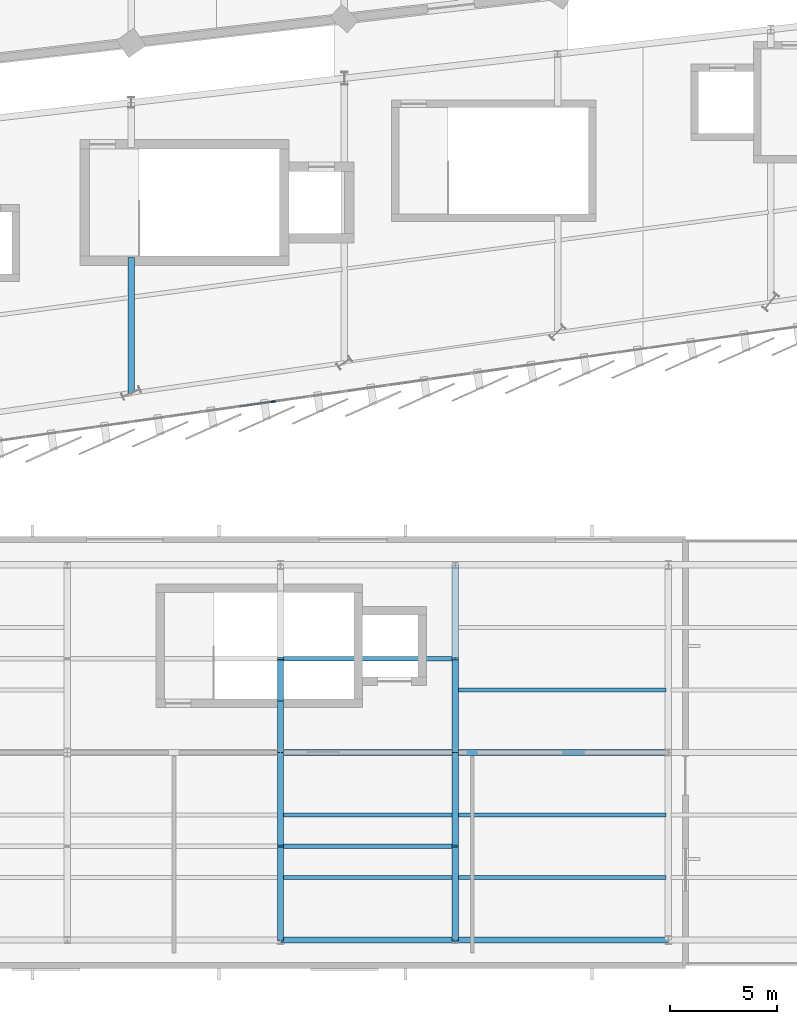
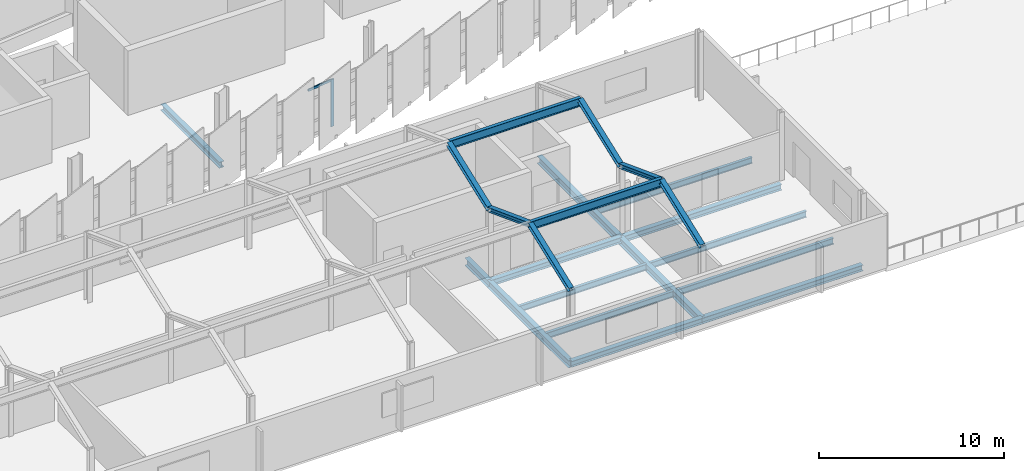
# One storey, part 22 of 87: 22 beams, 2 members, 1 element without a shape of its own.
"""IFC4 building model written with IfcOpenShell, lengths in metres."""

from ifc_helpers import new_model, si_unit, direction, frame, origin, origin_2d, place, context, subcontext, project, spatial, rectangle, i_section, extrude, material, layer, layer_set, material_profile, profile_set, type_object, element, aggregate, save


model = new_model("IFC4")

# Units and contexts
model_context = context("Model", 3, precision=1e-05, world=origin(), true_north=direction((0.0, 1.0)))
body_context = subcontext(model_context, "Body", "Model", "MODEL_VIEW")
ifc_project = project(units=[si_unit("LENGTHUNIT", "METRE"), si_unit("AREAUNIT", "SQUARE_METRE"), si_unit("VOLUMEUNIT", "CUBIC_METRE"), si_unit("PLANEANGLEUNIT", "RADIAN"), si_unit("MASSUNIT", "GRAM", prefix="KILO")], contexts=[model_context])

# Site, building, storey
site_placement = place(None, origin())
site = spatial("IfcSite", under=ifc_project, at=site_placement, CompositionType="ELEMENT")
building_placement = place(site_placement, origin())
building = spatial("IfcBuilding", under=site, at=building_placement, Name="Sohan Crest Arena", CompositionType="ELEMENT")
storey_placement = place(building_placement, frame((0.0, 0.0, 18.0)))
storey = spatial("IfcBuildingStorey", under=building, at=storey_placement, Name="L04", CompositionType="ELEMENT", Elevation=18.0)

# Curtain wall, members
ifc_material_1 = material(Name="Thermally broken anodised aluminium", Category="aluminium")
ifc_layer = layer(ifc_material_1, 0.219970703125, Name="Thermally broken anodised aluminium")
ifc_layer_set = layer_set([ifc_layer], Name="Thermally broken anodised aluminium")
curtain_wall_type = type_object("IfcCurtainWallType", Name="ARC-CW03", PredefinedType="NOTDEFINED", material=ifc_layer_set)
curtain_wall_placement = place(storey_placement, origin())
curtain_wall = element("IfcCurtainWall", 1, at=curtain_wall_placement, inside=storey, type_object=curtain_wall_type, Name="Unitised curtain wall CW-126", PredefinedType="NOTDEFINED")
ifc_material_profile_1 = material_profile(ifc_material_1, rectangle(XDim=0.070068359375, YDim=0.199951171875, at=origin_2d()), Name="ALU-MULL 70x200")
ifc_profile_set_1 = profile_set([ifc_material_profile_1], Name="Thermally broken anodised aluminium")
member_type_1 = type_object("IfcMemberType", Name="ARC-CW-ML03", PredefinedType="MULLION", material=ifc_profile_set_1)
member_1_placement = place(storey_placement, frame((124.666748046875, 32.459716796875, 0.0), z_axis=(0.0, 0.0, 1.0), x_axis=(-0.141462933734, 0.989943553128, 0.0)))
member_1 = element("IfcMember", 2, at=member_1_placement, type_object=member_type_1, Name="CW-126 mullion 5", PredefinedType="MULLION", context=body_context, shape_type="SweptSolid", body=[
    extrude(rectangle(XDim=0.070068359375, YDim=0.199951171875, at=origin_2d()), origin(), (0.0, 0.0, 1.0), 3.1201171875),
])
ifc_material_profile_2 = material_profile(ifc_material_1, rectangle(XDim=0.070068359375, YDim=0.14990234375, at=origin_2d()), Name="ALU-TRAN 70x150")
ifc_profile_set_2 = profile_set([ifc_material_profile_2], Name="Thermally broken anodised aluminium")
member_type_2 = type_object("IfcMemberType", Name="ARC-CW-TR03", PredefinedType="USERDEFINED", material=ifc_profile_set_2)
member_2_placement = place(storey_placement, frame((123.03466796875, 32.2265625, 3.0849609375), z_axis=(0.989943440831, 0.141463719575, 0.0), x_axis=(-0.141463719575, 0.989943440831, 0.0)))
member_2 = element("IfcMember", 3, at=member_2_placement, type_object=member_type_2, Name="CW-126 transom 4.4", ObjectType="TRANSOM", PredefinedType="USERDEFINED", context=body_context, shape_type="SweptSolid", body=[
    extrude(rectangle(XDim=0.070068359375, YDim=0.14990234375, at=origin_2d()), origin(), (0.0, 0.0, 1.0), 1.613525390625),
])
aggregate(curtain_wall, [member_1, member_2])

# Beams
ifc_material_2 = material(Name="Steel S355", Category="steel")
ifc_material_profile_3 = material_profile(ifc_material_2, i_section(OverallWidth=0.179931640625, OverallDepth=0.39990234375, WebThickness=0.008544921875, FlangeThickness=0.013427734375, at=origin_2d()), Name="IPE 400")
ifc_profile_set_3 = profile_set([ifc_material_profile_3], Name="Steel S355")
beam_type_1 = type_object("IfcBeamType", Name="STR-BM-B03", PredefinedType="JOIST", material=ifc_profile_set_3)
for number, where, z_axis, x_axis, name in (
    (4, (125.110107421875, 10.133056640625, -0.449951171875), (1.0, 0.0, 0.0), (0.0, 1.0, 0.0), "Structural beam J-L04-2808"),
    (5, (125.110107421875, 13.06689453125, -0.449951171875), (1.0, 0.0, 0.0), (0.0, 1.0, 0.0), "Structural beam J-L04-2809"),
):
    element("IfcBeam", number, at=place(storey_placement, frame(where, z_axis=z_axis, x_axis=x_axis)), inside=storey, type_object=beam_type_1, Name=name, PredefinedType="JOIST", context=body_context, shape_type="SweptSolid", body=[
        extrude(i_section(OverallWidth=0.179931640625, OverallDepth=0.39990234375, WebThickness=0.008544921875, FlangeThickness=0.013427734375, at=origin_2d()), origin(), (0.0, 0.0, 1.0), 7.97998046875),
    ])
for number, where, z_axis, x_axis, name in (
    (6, (133.31005859375, 10.133056640625, -0.449951171875), (1.0, 0.0, 0.0), (0.0, 1.0, 0.0), "Structural beam J-L04-2811"),
    (7, (133.31005859375, 13.06689453125, -0.449951171875), (1.0, 0.0, 0.0), (0.0, 1.0, 0.0), "Structural beam J-L04-2812"),
    (8, (133.31005859375, 18.93310546875, -0.449951171875), (1.0, 0.0, 0.0), (0.0, 1.0, 0.0), "Structural beam J-L04-2830"),
):
    element("IfcBeam", number, at=place(storey_placement, frame(where, z_axis=z_axis, x_axis=x_axis)), inside=storey, type_object=beam_type_1, Name=name, PredefinedType="JOIST", context=body_context, shape_type="SweptSolid", body=[
        extrude(i_section(OverallWidth=0.179931640625, OverallDepth=0.39990234375, WebThickness=0.008544921875, FlangeThickness=0.013427734375, at=origin_2d()), origin(), (0.0, 0.0, 1.0), 9.780029296875),
    ])
ifc_material_profile_4 = material_profile(ifc_material_2, i_section(OverallWidth=0.2099609375, OverallDepth=0.550048828125, WebThickness=0.010986328125, FlangeThickness=0.01708984375, at=origin_2d()), Name="IPE 550")
ifc_profile_set_4 = profile_set([ifc_material_profile_4], Name="Steel S355")
beam_type_2 = type_object("IfcBeamType", Name="STR-BM-B06", PredefinedType="BEAM", material=ifc_profile_set_4)
for number, where, z_axis, x_axis, name in (
    (9, (125.0, 11.60009765625, 5.988037109375), (1.0, 0.0, 0.0), (0.0, 1.0, 0.0), "Structural beam BVP-L04-3214"),
    (10, (125.0, 20.39990234375, 5.988037109375), (1.0, 0.0, 0.0), (0.0, 1.0, 0.0), "Structural beam BVP-L04-3234"),
):
    element("IfcBeam", number, at=place(storey_placement, frame(where, z_axis=z_axis, x_axis=x_axis)), inside=storey, type_object=beam_type_2, Name=name, PredefinedType="BEAM", context=body_context, shape_type="SweptSolid", body=[
        extrude(i_section(OverallWidth=0.2099609375, OverallDepth=0.550048828125, WebThickness=0.010986328125, FlangeThickness=0.01708984375, at=origin_2d()), origin(), (0.0, 0.0, 1.0), 8.199951171875),
    ])
ifc_material_profile_5 = material_profile(ifc_material_2, i_section(OverallWidth=0.300048828125, OverallDepth=0.2900390625, WebThickness=0.008544921875, FlangeThickness=0.013916015625, at=origin_2d()), Name="HEA 300")
ifc_profile_set_5 = profile_set([ifc_material_profile_5], Name="Steel S355")
beam_type_3 = type_object("IfcBeamType", Name="STR-BM-B08", PredefinedType="BEAM", material=ifc_profile_set_5)
beam_1_placement = place(storey_placement, frame((125.0, 7.199951171875, 4.419921875), z_axis=(0.0, 0.93562113017, 0.35300580842), x_axis=(-1.0, 0.0, 0.0)))
element("IfcBeam", 11, at=beam_1_placement, inside=storey, type_object=beam_type_3, Name="Structural beam BVA-L04-3205", PredefinedType="BEAM", context=body_context, shape_type="SweptSolid", body=[
    extrude(i_section(OverallWidth=0.300048828125, OverallDepth=0.2900390625, WebThickness=0.008544921875, FlangeThickness=0.013916015625, at=origin_2d()), origin(), (0.0, 0.0, 1.0), 4.702880859375),
])
beam_2_placement = place(storey_placement, frame((125.0, 11.60009765625, 6.080078125), z_axis=(0.0, 0.935614660707, -0.353022954878), x_axis=(-1.0, 0.0, 0.0)))
element("IfcBeam", 12, at=beam_2_placement, inside=storey, type_object=beam_type_3, Name="Structural beam BVA-L04-3206", PredefinedType="BEAM", context=body_context, shape_type="SweptSolid", body=[
    extrude(i_section(OverallWidth=0.300048828125, OverallDepth=0.2900390625, WebThickness=0.008544921875, FlangeThickness=0.013916015625, at=origin_2d()), origin(), (0.0, 0.0, 1.0), 4.70263671875),
])
beam_3_placement = place(storey_placement, frame((133.199951171875, 7.199951171875, 4.419921875), z_axis=(0.0, 0.93562113017, 0.35300580842), x_axis=(-1.0, 0.0, 0.0)))
element("IfcBeam", 13, at=beam_3_placement, inside=storey, type_object=beam_type_3, Name="Structural beam BVA-L04-3207", PredefinedType="BEAM", context=body_context, shape_type="SweptSolid", body=[
    extrude(i_section(OverallWidth=0.300048828125, OverallDepth=0.2900390625, WebThickness=0.008544921875, FlangeThickness=0.013916015625, at=origin_2d()), origin(), (0.0, 0.0, 1.0), 4.702880859375),
])
for number, where, z_axis, x_axis, name in (
    (14, (133.199951171875, 11.60009765625, 6.080078125), (0.0, 0.935614660707, -0.353022954878), (-1.0, 0.0, 0.0), "Structural beam BVA-L04-3208"),
    (15, (125.0, 16.0, 4.419921875), (0.0, 0.935614660707, 0.353022954878), (-1.0, 0.0, 0.0), "Structural beam BVA-L04-3225"),
    (16, (133.199951171875, 16.0, 4.419921875), (0.0, 0.935614660707, 0.353022954878), (-1.0, 0.0, 0.0), "Structural beam BVA-L04-3227"),
):
    element("IfcBeam", number, at=place(storey_placement, frame(where, z_axis=z_axis, x_axis=x_axis)), inside=storey, type_object=beam_type_3, Name=name, PredefinedType="BEAM", context=body_context, shape_type="SweptSolid", body=[
        extrude(i_section(OverallWidth=0.300048828125, OverallDepth=0.2900390625, WebThickness=0.008544921875, FlangeThickness=0.013916015625, at=origin_2d()), origin(), (0.0, 0.0, 1.0), 4.70263671875),
    ])
ifc_material_profile_6 = material_profile(ifc_material_2, i_section(OverallWidth=0.300048828125, OverallDepth=0.389892578125, WebThickness=0.010986328125, FlangeThickness=0.01904296875, at=origin_2d()), Name="HEA 400")
ifc_profile_set_6 = profile_set([ifc_material_profile_6], Name="Steel S355")
beam_type_4 = type_object("IfcBeamType", Name="STR-BM-B09", PredefinedType="BEAM", material=ifc_profile_set_6)
beam_4_placement = place(storey_placement, frame((125.0, 7.199951171875, -0.445068359375), z_axis=(1.0, 0.0, 0.0), x_axis=(0.0, 1.0, 0.0)))
element("IfcBeam", 17, at=beam_4_placement, inside=storey, type_object=beam_type_4, Name="Structural beam G-L04-2807", PredefinedType="BEAM", context=body_context, shape_type="SweptSolid", body=[
    extrude(i_section(OverallWidth=0.300048828125, OverallDepth=0.389892578125, WebThickness=0.010986328125, FlangeThickness=0.01904296875, at=origin_2d()), origin(), (0.0, 0.0, 1.0), 8.199951171875),
])
beam_5_placement = place(storey_placement, frame((133.199951171875, 7.199951171875, -0.445068359375), z_axis=(1.0, 0.0, 0.0), x_axis=(0.0, 1.0, 0.0)))
element("IfcBeam", 18, at=beam_5_placement, inside=storey, type_object=beam_type_4, Name="Structural beam G-L04-2810", PredefinedType="BEAM", context=body_context, shape_type="SweptSolid", body=[
    extrude(i_section(OverallWidth=0.300048828125, OverallDepth=0.389892578125, WebThickness=0.010986328125, FlangeThickness=0.01904296875, at=origin_2d()), origin(), (0.0, 0.0, 1.0), 10.0),
])
beam_6_placement = place(storey_placement, frame((125.0, 16.0, -0.445068359375), z_axis=(1.0, 0.0, 0.0), x_axis=(0.0, 1.0, 0.0)))
element("IfcBeam", 19, at=beam_6_placement, inside=storey, type_object=beam_type_4, Name="Structural beam G-L04-2828", PredefinedType="BEAM", context=body_context, shape_type="SweptSolid", body=[
    extrude(i_section(OverallWidth=0.300048828125, OverallDepth=0.389892578125, WebThickness=0.010986328125, FlangeThickness=0.01904296875, at=origin_2d()), origin(), (0.0, 0.0, 1.0), 8.199951171875),
])
beam_7_placement = place(storey_placement, frame((133.199951171875, 16.0, -0.445068359375), z_axis=(1.0, 0.0, 0.0), x_axis=(0.0, 1.0, 0.0)))
element("IfcBeam", 20, at=beam_7_placement, inside=storey, type_object=beam_type_4, Name="Structural beam G-L04-2829", PredefinedType="BEAM", context=body_context, shape_type="SweptSolid", body=[
    extrude(i_section(OverallWidth=0.300048828125, OverallDepth=0.389892578125, WebThickness=0.010986328125, FlangeThickness=0.01904296875, at=origin_2d()), origin(), (0.0, 0.0, 1.0), 10.0),
])
ifc_material_profile_7 = material_profile(ifc_material_2, i_section(OverallWidth=0.300048828125, OverallDepth=0.489990234375, WebThickness=0.011962890625, FlangeThickness=0.02294921875, at=origin_2d()), Name="HEA 500")
ifc_profile_set_7 = profile_set([ifc_material_profile_7], Name="Steel S355")
beam_type_5 = type_object("IfcBeamType", Name="STR-BM-B10", PredefinedType="BEAM", material=ifc_profile_set_7)
beam_8_placement = place(storey_placement, frame((125.0, 7.199951171875, -0.4951171875), z_axis=(0.0, 1.0, 0.0), x_axis=(-1.0, 0.0, 0.0)))
element("IfcBeam", 21, at=beam_8_placement, inside=storey, type_object=beam_type_5, Name="Structural beam G-L04-2781", PredefinedType="BEAM", context=body_context, shape_type="SweptSolid", body=[
    extrude(i_section(OverallWidth=0.300048828125, OverallDepth=0.489990234375, WebThickness=0.011962890625, FlangeThickness=0.02294921875, at=origin_2d()), origin(), (0.0, 0.0, 1.0), 8.800048828125),
])
beam_9_placement = place(storey_placement, frame((125.0, 16.0, -0.4951171875), z_axis=(0.0, 1.0, 0.0), x_axis=(-1.0, 0.0, 0.0)))
element("IfcBeam", 22, at=beam_9_placement, inside=storey, type_object=beam_type_5, Name="Structural beam G-L04-2782", PredefinedType="BEAM", context=body_context, shape_type="SweptSolid", body=[
    extrude(i_section(OverallWidth=0.300048828125, OverallDepth=0.489990234375, WebThickness=0.011962890625, FlangeThickness=0.02294921875, at=origin_2d()), origin(), (0.0, 0.0, 1.0), 2.419921875),
])
for number, where, z_axis, x_axis, name in (
    (23, (133.199951171875, 7.199951171875, -0.4951171875), (0.0, 1.0, 0.0), (-1.0, 0.0, 0.0), "Structural beam G-L04-2784"),
    (24, (133.199951171875, 16.0, -0.4951171875), (0.0, 1.0, 0.0), (-1.0, 0.0, 0.0), "Structural beam G-L04-2785"),
):
    element("IfcBeam", number, at=place(storey_placement, frame(where, z_axis=z_axis, x_axis=x_axis)), inside=storey, type_object=beam_type_5, Name=name, PredefinedType="BEAM", context=body_context, shape_type="SweptSolid", body=[
        extrude(i_section(OverallWidth=0.300048828125, OverallDepth=0.489990234375, WebThickness=0.011962890625, FlangeThickness=0.02294921875, at=origin_2d()), origin(), (0.0, 0.0, 1.0), 8.800048828125),
    ])
ifc_material_profile_8 = material_profile(ifc_material_2, i_section(OverallWidth=0.300048828125, OverallDepth=0.39990234375, WebThickness=0.013427734375, FlangeThickness=0.02392578125, at=origin_2d()), Name="HEB 400")
ifc_profile_set_8 = profile_set([ifc_material_profile_8], Name="Steel S355")
beam_type_6 = type_object("IfcBeamType", Name="STR-BM-B13", PredefinedType="BEAM", material=ifc_profile_set_8)
beam_10_placement = place(storey_placement, frame((118.0, 39.219970703125, -0.449951171875), z_axis=(0.0, -1.0, 0.0), x_axis=(1.0, 0.0, 0.0)))
element("IfcBeam", 25, at=beam_10_placement, inside=storey, type_object=beam_type_6, Name="Structural beam G-L04-1611", PredefinedType="BEAM", context=body_context, shape_type="SweptSolid", body=[
    extrude(i_section(OverallWidth=0.300048828125, OverallDepth=0.39990234375, WebThickness=0.013427734375, FlangeThickness=0.02392578125, at=origin_2d()), origin(), (0.0, 0.0, 1.0), 6.363037109375),
])

save(model, "model.ifc")
